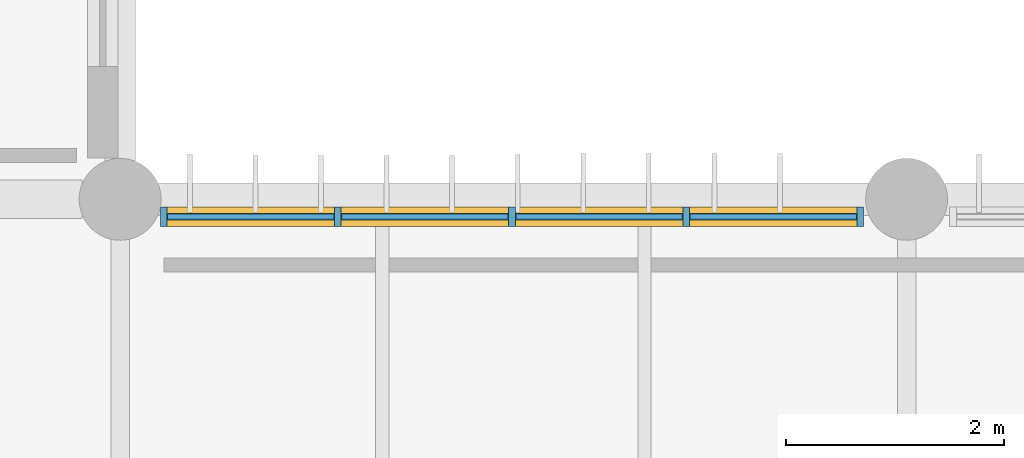
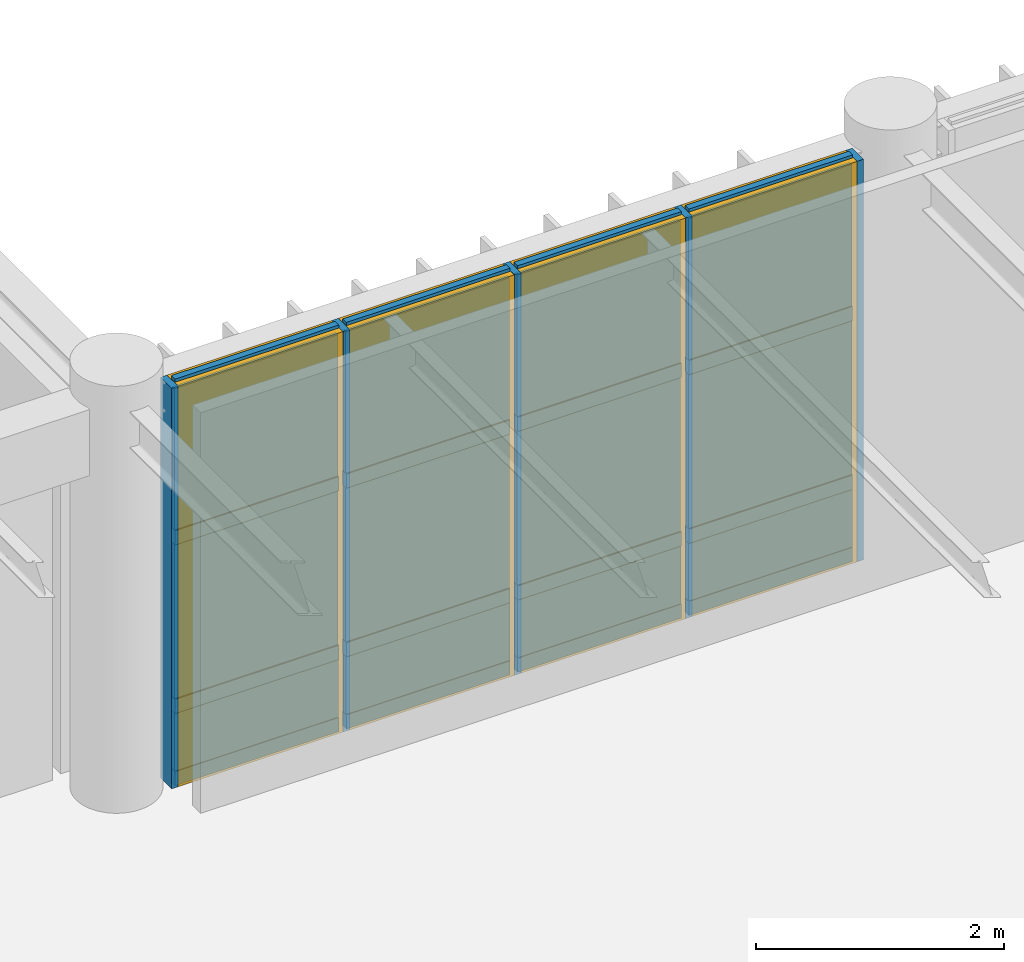
# One storey, part 83 of 122: 21 members, 12 plates, 1 curtain wall.
"""IFC4 building model written with IfcOpenShell, lengths in metres."""

import ifcopenshell
import ifcopenshell.guid

model = None  # the IFC model being written
_history = None  # IfcOwnerHistory: only IFC2X3 demands one
_inside = {}  # id of a spatial element -> (the spatial element, [elements in it])
_under = {}  # id of a project, library or spatial element -> (it, [spatial elements below it])
_declared = {}  # id of a project -> (the project, [libraries it declares])
_typed = {}  # id of a type object -> (the type object, [elements of that type])
_made_of = {}  # id of a material, layer set ... -> (it, [elements and type objects made of it])


def new_model(schema):
    """Start an empty IFC model of exactly this schema.

    Asked for "IFC4X3", IfcOpenShell would pick the latest addendum, in which some entities
    have other attributes; the version numbers below select the first issue.
    IFC2X3 requires an IfcOwnerHistory on every rooted entity: one is made here for all.
    """
    global model, _history
    if schema == "IFC4X3":
        model = ifcopenshell.file(schema_version=(4, 3, 0, 0))
    else:
        model = ifcopenshell.file(schema=schema)
    _inside.clear()
    _under.clear()
    _declared.clear()
    _typed.clear()
    _made_of.clear()
    _history = None
    if model.schema == "IFC2X3":
        org = make("IfcOrganization", Name="unknown")
        user = make(
            "IfcPersonAndOrganization",
            ThePerson=make("IfcPerson", FamilyName="unknown"),
            TheOrganization=org,
        )
        app = make(
            "IfcApplication",
            ApplicationDeveloper=org,
            Version="unknown",
            ApplicationFullName="unknown",
            ApplicationIdentifier="unknown",
        )
        _history = make(
            "IfcOwnerHistory",
            OwningUser=user,
            OwningApplication=app,
            ChangeAction="ADDED",
            CreationDate=0,
        )
    return model


def make(cls, **values):
    """One entity of the class cls with the attributes given. An attribute that is None is left unset."""
    return model.create_entity(
        cls, **{name: value for name, value in values.items() if value is not None}
    )


def rooted(cls, **values):
    """An entity with a GlobalId (a new one), such as an element, a storey or a relation."""
    return make(cls, GlobalId=ifcopenshell.guid.new(), OwnerHistory=_history, **values)


def si_unit(unit_type, name, prefix=None):
    """IfcSIUnit, for example si_unit("LENGTHUNIT", "METRE", prefix="MILLI")."""
    return make("IfcSIUnit", UnitType=unit_type, Prefix=prefix, Name=name)


def assignment(units):
    """IfcUnitAssignment: the units of a project."""
    return None if units is None else make("IfcUnitAssignment", Units=units)


def point(xyz):
    """IfcCartesianPoint."""
    return None if xyz is None else make("IfcCartesianPoint", Coordinates=xyz)


def direction(xyz):
    """IfcDirection."""
    return None if xyz is None else make("IfcDirection", DirectionRatios=xyz)


def frame(location, z_axis=None, x_axis=None):
    """IfcAxis2Placement3D, a coordinate frame: its origin and axes. An axis left out is left unset."""
    return make(
        "IfcAxis2Placement3D",
        Location=point(location),
        Axis=direction(z_axis),
        RefDirection=direction(x_axis),
    )


def frame_2d(location, x_axis=None):
    """IfcAxis2Placement2D, a coordinate frame in the plane: its origin and x axis."""
    return make(
        "IfcAxis2Placement2D", Location=point(location), RefDirection=direction(x_axis)
    )


def origin():
    """The frame at (0, 0, 0) with its axes left unset."""
    return frame((0.0, 0.0, 0.0))


def origin_2d():
    """The frame at (0, 0) in the plane with its x axis left unset."""
    return frame_2d((0.0, 0.0))


def place(relative_to, where):
    """IfcLocalPlacement: puts the frame where relative to a parent placement (None: the world)."""
    return make(
        "IfcLocalPlacement", PlacementRelTo=relative_to, RelativePlacement=where
    )


def context(
    kind, dimensions, precision=None, world=None, true_north=None, identifier=None
):
    """IfcGeometricRepresentationContext, for example the 3D "Model" context."""
    return make(
        "IfcGeometricRepresentationContext",
        ContextIdentifier=identifier,
        ContextType=kind,
        CoordinateSpaceDimension=dimensions,
        Precision=precision,
        WorldCoordinateSystem=world,
        TrueNorth=true_north,
    )


def subcontext(parent, identifier, kind, view, scale=None):
    """IfcGeometricRepresentationSubContext, for example "Body" below "Model"."""
    return make(
        "IfcGeometricRepresentationSubContext",
        ContextIdentifier=identifier,
        ContextType=kind,
        ParentContext=parent,
        TargetScale=scale,
        TargetView=view,
    )


def project(units=None, contexts=None):
    """IfcProject with its units and contexts."""
    return rooted(
        "IfcProject",
        Name="project",
        RepresentationContexts=contexts,
        UnitsInContext=assignment(units),
    )


def spatial(cls, under=None, at=None, **own):
    """A site, building, storey or space (cls), placed at a placement, below another one or the project."""
    s = rooted(cls, ObjectPlacement=at, **own)
    if under is not None:
        _under.setdefault(under.id(), (under, []))[1].append(s)
    return s


def profile(cls, at=None, kind="AREA", **sizes):
    """A parametric profile (cls). Its sizes go by their IFC names, for example OverallWidth=200.0."""
    return make(cls, ProfileType=kind, Position=at, **sizes)


def rectangle(**sizes):
    """IfcRectangleProfileDef."""
    return profile("IfcRectangleProfileDef", **sizes)


def extrude(swept, where, along, depth):
    """IfcExtrudedAreaSolid: the profile swept, set in the frame where, extruded along a direction by depth."""
    return make(
        "IfcExtrudedAreaSolid",
        SweptArea=swept,
        Position=where,
        ExtrudedDirection=direction(along),
        Depth=depth,
    )


def shape(context_of_items, identifier, shape_type, items):
    """IfcShapeRepresentation: the items that make up one representation, for example the "Body"."""
    return make(
        "IfcShapeRepresentation",
        ContextOfItems=context_of_items,
        RepresentationIdentifier=identifier,
        RepresentationType=shape_type,
        Items=items,
    )


def material(Name=None, Category=None):
    """IfcMaterial."""
    return make("IfcMaterial", Name=Name, Category=Category)


def layer(
    of_material, thickness, ventilated=None, Name=None, Category=None, Priority=None
):
    """IfcMaterialLayer: one layer of a wall or slab, of a material (None: an air gap)."""
    return make(
        "IfcMaterialLayer",
        Material=of_material,
        LayerThickness=thickness,
        IsVentilated=ventilated,
        Name=Name,
        Category=Category,
        Priority=Priority,
    )


def layer_set(layers, Name=None):
    """IfcMaterialLayerSet."""
    return make("IfcMaterialLayerSet", MaterialLayers=layers, LayerSetName=Name)


def material_profile(
    of_material, cross_section, Name=None, Category=None, Priority=None
):
    """IfcMaterialProfile: a cross section and its material."""
    return make(
        "IfcMaterialProfile",
        Name=Name,
        Material=of_material,
        Profile=cross_section,
        Priority=Priority,
        Category=Category,
    )


def profile_set(profiles, Name=None, composite=None):
    """IfcMaterialProfileSet."""
    return make(
        "IfcMaterialProfileSet",
        Name=Name,
        MaterialProfiles=profiles,
        CompositeProfile=composite,
    )


def made_of(thing, what):
    """Note that an element or type object is made of a material, layer set ...; save() writes the relation."""
    if what is not None:
        _made_of.setdefault(what.id(), (what, []))[1].append(thing)
    return thing


def type_object(cls, material=None, **own):
    """A type object (cls), such as IfcWallType, which elements share."""
    return made_of(rooted(cls, **own), material)


def element(
    cls,
    number,
    at=None,
    inside=None,
    cuts=None,
    type_object=None,
    material=None,
    context=None,
    identifier="Body",
    shape_type=None,
    held_by="IfcProductDefinitionShape",
    body=None,
    shapes=None,
    **own,
):
    """One element of the class cls, such as IfcWall. Its Tag is "e" and its number.

    at: its placement. inside: the storey or other place that contains it. cuts: it is an
    opening in that element (IfcRelVoidsElement). A single representation is given by context,
    identifier, shape_type and body (its items); several are given by shapes. held_by: the class
    of the entity that holds the representations. save() writes the other relations.
    """
    e = rooted(cls, Tag="e%d" % number, ObjectPlacement=at, **own)
    if body is not None:
        shapes = [shape(context, identifier, shape_type, body)]
    if shapes is not None:
        e.Representation = make(held_by, Representations=shapes)
    if inside is not None:
        _inside.setdefault(inside.id(), (inside, []))[1].append(e)
    if cuts is not None:
        rooted(
            "IfcRelVoidsElement", RelatingBuildingElement=cuts, RelatedOpeningElement=e
        )
    if type_object is not None:
        _typed.setdefault(type_object.id(), (type_object, []))[1].append(e)
    return made_of(e, material)


def aggregate(whole, parts):
    """IfcRelAggregates: a whole, such as a stair, and the parts it consists of."""
    return rooted("IfcRelAggregates", RelatingObject=whole, RelatedObjects=parts)


def save(model, path):
    """Write the relations noted so far, then the file.

    IfcRelAggregates (storeys below a building ...), IfcRelContainedInSpatialStructure (elements
    in a storey), IfcRelDefinesByType, IfcRelAssociatesMaterial and IfcRelDeclares: one each for
    every whole, place, type object, material and project.
    """
    for whole, parts in _under.values():
        aggregate(whole, parts)
    for where, things in _inside.values():
        rooted(
            "IfcRelContainedInSpatialStructure",
            RelatedElements=things,
            RelatingStructure=where,
        )
    for kind, things in _typed.values():
        rooted("IfcRelDefinesByType", RelatedObjects=things, RelatingType=kind)
    for what, things in _made_of.values():
        rooted("IfcRelAssociatesMaterial", RelatedObjects=things, RelatingMaterial=what)
    for by, libraries in _declared.values():
        rooted("IfcRelDeclares", RelatingContext=by, RelatedDefinitions=libraries)
    model.write(path)


model = new_model("IFC4")

# Units and contexts
model_context = context("Model", 3, precision=1e-05, world=origin(), true_north=direction((0.0, 1.0)))
body_context = subcontext(model_context, "Body", "Model", "MODEL_VIEW")
ifc_project = project(units=[si_unit("LENGTHUNIT", "METRE"), si_unit("AREAUNIT", "SQUARE_METRE"), si_unit("VOLUMEUNIT", "CUBIC_METRE"), si_unit("PLANEANGLEUNIT", "RADIAN"), si_unit("MASSUNIT", "GRAM", prefix="KILO")], contexts=[model_context])

# Member
ifc_material_1 = material(Name="Anodised Bronze Aluminium 6063-T6", Category="aluminium")
ifc_material_profile_1 = material_profile(ifc_material_1, rectangle(XDim=0.06005859375, YDim=0.179931640625, at=origin_2d()), Name="ALU MULLION 60x180")
ifc_profile_set_1 = profile_set([ifc_material_profile_1], Name="Anodised Bronze Aluminium 6063-T6")
member_type_1 = type_object("IfcMemberType", Name="Curtain-Wall Primary Mullion 60x180", PredefinedType="MULLION", material=ifc_profile_set_1)
site_placement = place(None, origin())
building_placement = place(site_placement, origin())
storey_placement = place(building_placement, frame((0.0, 0.0, 4.800048828125)))
member_1_placement = place(storey_placement, frame((95.800048828125, 30.0400390625, 0.0), z_axis=(0.0, 0.0, 1.0), x_axis=(1.0, 0.0, 0.0)))
member_1 = element("IfcMember", 1, at=member_1_placement, type_object=member_type_1, Name="Mullion CWM-01 CW-V5-NRET-E-L01-B1-M01", PredefinedType="MULLION", context=body_context, shape_type="SweptSolid", body=[
    extrude(rectangle(XDim=0.06005859375, YDim=0.179931640625, at=origin_2d()), origin(), (0.0, 0.0, 1.0), 3.93994140625),
])

member_2_placement = place(storey_placement, frame((97.393798828125, 30.0400390625, 0.0), z_axis=(0.0, 0.0, 1.0), x_axis=(1.0, 0.0, 0.0)))
member_2 = element("IfcMember", 2, at=member_2_placement, type_object=member_type_1, Name="Mullion CWM-01 CW-V5-NRET-E-L01-B1-M02", PredefinedType="MULLION", context=body_context, shape_type="SweptSolid", body=[
    extrude(rectangle(XDim=0.06005859375, YDim=0.179931640625, at=origin_2d()), origin(), (0.0, 0.0, 1.0), 3.93994140625),
])

member_3_placement = place(storey_placement, frame((98.987548828125, 30.0400390625, 0.0), z_axis=(0.0, 0.0, 1.0), x_axis=(1.0, 0.0, 0.0)))
member_3 = element("IfcMember", 3, at=member_3_placement, type_object=member_type_1, Name="Mullion CWM-01 CW-V5-NRET-E-L01-B1-M03", PredefinedType="MULLION", context=body_context, shape_type="SweptSolid", body=[
    extrude(rectangle(XDim=0.06005859375, YDim=0.179931640625, at=origin_2d()), origin(), (0.0, 0.0, 1.0), 3.93994140625),
])

member_4_placement = place(storey_placement, frame((100.581298828125, 30.0400390625, 0.0), z_axis=(0.0, 0.0, 1.0), x_axis=(1.0, 0.0, 0.0)))
member_4 = element("IfcMember", 4, at=member_4_placement, type_object=member_type_1, Name="Mullion CWM-01 CW-V5-NRET-E-L01-B1-M04", PredefinedType="MULLION", context=body_context, shape_type="SweptSolid", body=[
    extrude(rectangle(XDim=0.06005859375, YDim=0.179931640625, at=origin_2d()), origin(), (0.0, 0.0, 1.0), 3.93994140625),
])

member_5_placement = place(storey_placement, frame((102.175048828125, 30.0400390625, 0.0), z_axis=(0.0, 0.0, 1.0), x_axis=(1.0, 0.0, 0.0)))
member_5 = element("IfcMember", 5, at=member_5_placement, type_object=member_type_1, Name="Mullion CWM-01 CW-V5-NRET-E-L01-B1-M05", PredefinedType="MULLION", context=body_context, shape_type="SweptSolid", body=[
    extrude(rectangle(XDim=0.06005859375, YDim=0.179931640625, at=origin_2d()), origin(), (0.0, 0.0, 1.0), 3.93994140625),
])

ifc_material_profile_2 = material_profile(ifc_material_1, rectangle(XDim=0.06005859375, YDim=0.139892578125, at=origin_2d()), Name="ALU TRANSOM 60x140")
ifc_profile_set_2 = profile_set([ifc_material_profile_2], Name="Anodised Bronze Aluminium 6063-T6")
member_type_2 = type_object("IfcMemberType", Name="Curtain-Wall Transom 60x140", PredefinedType="USERDEFINED", material=ifc_profile_set_2)
member_6_placement = place(storey_placement, frame((95.8349609375, 30.0400390625, 0.0400390625), z_axis=(1.0, 0.0, 0.0), x_axis=(0.0, 1.0, 0.0)))
member_6 = element("IfcMember", 6, at=member_6_placement, type_object=member_type_2, Name="Transom CWT-01 CW-V5-NRET-E-L01-B1-T01.1", ObjectType="TRANSOM", PredefinedType="USERDEFINED", context=body_context, shape_type="SweptSolid", body=[
    extrude(rectangle(XDim=0.06005859375, YDim=0.139892578125, at=origin_2d()), origin(), (0.0, 0.0, 1.0), 1.52392578125),
])

member_7_placement = place(storey_placement, frame((95.8349609375, 30.0400390625, 0.75), z_axis=(1.0, 0.0, 0.0), x_axis=(0.0, 1.0, 0.0)))
member_7 = element("IfcMember", 7, at=member_7_placement, type_object=member_type_2, Name="Transom CWT-01 CW-V5-NRET-E-L01-B1-T01.2", ObjectType="TRANSOM", PredefinedType="USERDEFINED", context=body_context, shape_type="SweptSolid", body=[
    extrude(rectangle(XDim=0.06005859375, YDim=0.139892578125, at=origin_2d()), origin(), (0.0, 0.0, 1.0), 1.52392578125),
])

member_8_placement = place(storey_placement, frame((95.8349609375, 30.0400390625, 2.40869140625), z_axis=(1.0, 0.0, 0.0), x_axis=(0.0, 1.0, 0.0)))
member_8 = element("IfcMember", 8, at=member_8_placement, type_object=member_type_2, Name="Transom CWT-01 CW-V5-NRET-E-L01-B1-T01.3", ObjectType="TRANSOM", PredefinedType="USERDEFINED", context=body_context, shape_type="SweptSolid", body=[
    extrude(rectangle(XDim=0.06005859375, YDim=0.139892578125, at=origin_2d()), origin(), (0.0, 0.0, 1.0), 1.52392578125),
])

member_9_placement = place(storey_placement, frame((95.8349609375, 30.0400390625, 3.89990234375), z_axis=(1.0, 0.0, 0.0), x_axis=(0.0, 1.0, 0.0)))
member_9 = element("IfcMember", 9, at=member_9_placement, type_object=member_type_2, Name="Transom CWT-01 CW-V5-NRET-E-L01-B1-T01.4", ObjectType="TRANSOM", PredefinedType="USERDEFINED", context=body_context, shape_type="SweptSolid", body=[
    extrude(rectangle(XDim=0.06005859375, YDim=0.139892578125, at=origin_2d()), origin(), (0.0, 0.0, 1.0), 1.52392578125),
])

member_10_placement = place(storey_placement, frame((97.4287109375, 30.0400390625, 0.0400390625), z_axis=(1.0, 0.0, 0.0), x_axis=(0.0, 1.0, 0.0)))
member_10 = element("IfcMember", 10, at=member_10_placement, type_object=member_type_2, Name="Transom CWT-01 CW-V5-NRET-E-L01-B1-T02.1", ObjectType="TRANSOM", PredefinedType="USERDEFINED", context=body_context, shape_type="SweptSolid", body=[
    extrude(rectangle(XDim=0.06005859375, YDim=0.139892578125, at=origin_2d()), origin(), (0.0, 0.0, 1.0), 1.523681640625),
])

member_11_placement = place(storey_placement, frame((97.4287109375, 30.0400390625, 0.75), z_axis=(1.0, 0.0, 0.0), x_axis=(0.0, 1.0, 0.0)))
member_11 = element("IfcMember", 11, at=member_11_placement, type_object=member_type_2, Name="Transom CWT-01 CW-V5-NRET-E-L01-B1-T02.2", ObjectType="TRANSOM", PredefinedType="USERDEFINED", context=body_context, shape_type="SweptSolid", body=[
    extrude(rectangle(XDim=0.06005859375, YDim=0.139892578125, at=origin_2d()), origin(), (0.0, 0.0, 1.0), 1.523681640625),
])

member_12_placement = place(storey_placement, frame((97.4287109375, 30.0400390625, 2.40869140625), z_axis=(1.0, 0.0, 0.0), x_axis=(0.0, 1.0, 0.0)))
member_12 = element("IfcMember", 12, at=member_12_placement, type_object=member_type_2, Name="Transom CWT-01 CW-V5-NRET-E-L01-B1-T02.3", ObjectType="TRANSOM", PredefinedType="USERDEFINED", context=body_context, shape_type="SweptSolid", body=[
    extrude(rectangle(XDim=0.06005859375, YDim=0.139892578125, at=origin_2d()), origin(), (0.0, 0.0, 1.0), 1.523681640625),
])

member_13_placement = place(storey_placement, frame((97.4287109375, 30.0400390625, 3.89990234375), z_axis=(1.0, 0.0, 0.0), x_axis=(0.0, 1.0, 0.0)))
member_13 = element("IfcMember", 13, at=member_13_placement, type_object=member_type_2, Name="Transom CWT-01 CW-V5-NRET-E-L01-B1-T02.4", ObjectType="TRANSOM", PredefinedType="USERDEFINED", context=body_context, shape_type="SweptSolid", body=[
    extrude(rectangle(XDim=0.06005859375, YDim=0.139892578125, at=origin_2d()), origin(), (0.0, 0.0, 1.0), 1.523681640625),
])

member_14_placement = place(storey_placement, frame((99.0224609375, 30.0400390625, 0.0400390625), z_axis=(1.0, 0.0, 0.0), x_axis=(0.0, 1.0, 0.0)))
member_14 = element("IfcMember", 14, at=member_14_placement, type_object=member_type_2, Name="Transom CWT-01 CW-V5-NRET-E-L01-B1-T03.1", ObjectType="TRANSOM", PredefinedType="USERDEFINED", context=body_context, shape_type="SweptSolid", body=[
    extrude(rectangle(XDim=0.06005859375, YDim=0.139892578125, at=origin_2d()), origin(), (0.0, 0.0, 1.0), 1.52392578125),
])

member_15_placement = place(storey_placement, frame((99.0224609375, 30.0400390625, 0.75), z_axis=(1.0, 0.0, 0.0), x_axis=(0.0, 1.0, 0.0)))
member_15 = element("IfcMember", 15, at=member_15_placement, type_object=member_type_2, Name="Transom CWT-01 CW-V5-NRET-E-L01-B1-T03.2", ObjectType="TRANSOM", PredefinedType="USERDEFINED", context=body_context, shape_type="SweptSolid", body=[
    extrude(rectangle(XDim=0.06005859375, YDim=0.139892578125, at=origin_2d()), origin(), (0.0, 0.0, 1.0), 1.52392578125),
])

member_16_placement = place(storey_placement, frame((99.0224609375, 30.0400390625, 2.40869140625), z_axis=(1.0, 0.0, 0.0), x_axis=(0.0, 1.0, 0.0)))
member_16 = element("IfcMember", 16, at=member_16_placement, type_object=member_type_2, Name="Transom CWT-01 CW-V5-NRET-E-L01-B1-T03.3", ObjectType="TRANSOM", PredefinedType="USERDEFINED", context=body_context, shape_type="SweptSolid", body=[
    extrude(rectangle(XDim=0.06005859375, YDim=0.139892578125, at=origin_2d()), origin(), (0.0, 0.0, 1.0), 1.52392578125),
])

member_17_placement = place(storey_placement, frame((99.0224609375, 30.0400390625, 3.89990234375), z_axis=(1.0, 0.0, 0.0), x_axis=(0.0, 1.0, 0.0)))
member_17 = element("IfcMember", 17, at=member_17_placement, type_object=member_type_2, Name="Transom CWT-01 CW-V5-NRET-E-L01-B1-T03.4", ObjectType="TRANSOM", PredefinedType="USERDEFINED", context=body_context, shape_type="SweptSolid", body=[
    extrude(rectangle(XDim=0.06005859375, YDim=0.139892578125, at=origin_2d()), origin(), (0.0, 0.0, 1.0), 1.52392578125),
])

member_18_placement = place(storey_placement, frame((100.6162109375, 30.0400390625, 0.0400390625), z_axis=(1.0, 0.0, 0.0), x_axis=(0.0, 1.0, 0.0)))
member_18 = element("IfcMember", 18, at=member_18_placement, type_object=member_type_2, Name="Transom CWT-01 CW-V5-NRET-E-L01-B1-T04.1", ObjectType="TRANSOM", PredefinedType="USERDEFINED", context=body_context, shape_type="SweptSolid", body=[
    extrude(rectangle(XDim=0.06005859375, YDim=0.139892578125, at=origin_2d()), origin(), (0.0, 0.0, 1.0), 1.523681640625),
])

member_19_placement = place(storey_placement, frame((100.6162109375, 30.0400390625, 0.75), z_axis=(1.0, 0.0, 0.0), x_axis=(0.0, 1.0, 0.0)))
member_19 = element("IfcMember", 19, at=member_19_placement, type_object=member_type_2, Name="Transom CWT-01 CW-V5-NRET-E-L01-B1-T04.2", ObjectType="TRANSOM", PredefinedType="USERDEFINED", context=body_context, shape_type="SweptSolid", body=[
    extrude(rectangle(XDim=0.06005859375, YDim=0.139892578125, at=origin_2d()), origin(), (0.0, 0.0, 1.0), 1.523681640625),
])

member_20_placement = place(storey_placement, frame((100.6162109375, 30.0400390625, 2.40869140625), z_axis=(1.0, 0.0, 0.0), x_axis=(0.0, 1.0, 0.0)))
member_20 = element("IfcMember", 20, at=member_20_placement, type_object=member_type_2, Name="Transom CWT-01 CW-V5-NRET-E-L01-B1-T04.3", ObjectType="TRANSOM", PredefinedType="USERDEFINED", context=body_context, shape_type="SweptSolid", body=[
    extrude(rectangle(XDim=0.06005859375, YDim=0.139892578125, at=origin_2d()), origin(), (0.0, 0.0, 1.0), 1.523681640625),
])

member_21_placement = place(storey_placement, frame((100.6162109375, 30.0400390625, 3.89990234375), z_axis=(1.0, 0.0, 0.0), x_axis=(0.0, 1.0, 0.0)))
member_21 = element("IfcMember", 21, at=member_21_placement, type_object=member_type_2, Name="Transom CWT-01 CW-V5-NRET-E-L01-B1-T04.4", ObjectType="TRANSOM", PredefinedType="USERDEFINED", context=body_context, shape_type="SweptSolid", body=[
    extrude(rectangle(XDim=0.06005859375, YDim=0.139892578125, at=origin_2d()), origin(), (0.0, 0.0, 1.0), 1.523681640625),
])

# Plate
ifc_material_2 = material(Name="Insulated Bronze Aluminium Spandrel Panel", Category="aluminium")
ifc_layer_1 = layer(ifc_material_2, 0.050048828125, Name="Insulated Bronze Aluminium Spandrel Panel")
ifc_layer_set_1 = layer_set([ifc_layer_1], Name="Insulated Bronze Aluminium Spandrel Panel")
plate_type_1 = type_object("IfcPlateType", Name="Insulated Anodised Aluminium Spandrel Cassette 50", PredefinedType="CURTAIN_PANEL", material=ifc_layer_set_1)
plate_1_placement = place(storey_placement, frame((96.596923828125, 30.0400390625, 0.070068359375), z_axis=(0.0, 0.0, 1.0), x_axis=(1.0, 0.0, 0.0)))
plate_1 = element("IfcPlate", 22, at=plate_1_placement, type_object=plate_type_1, Name="Curtain Panel CWP-03 CW-V5-NRET-E-L01-B1-P01.1", PredefinedType="CURTAIN_PANEL", context=body_context, shape_type="SweptSolid", body=[
    extrude(rectangle(XDim=1.523681640625, YDim=0.050048828125, at=origin_2d()), origin(), (0.0, 0.0, 1.0), 0.64990234375),
])

plate_2_placement = place(storey_placement, frame((98.190673828125, 30.0400390625, 0.070068359375), z_axis=(0.0, 0.0, 1.0), x_axis=(1.0, 0.0, 0.0)))
plate_2 = element("IfcPlate", 23, at=plate_2_placement, type_object=plate_type_1, Name="Curtain Panel CWP-03 CW-V5-NRET-E-L01-B1-P02.1", PredefinedType="CURTAIN_PANEL", context=body_context, shape_type="SweptSolid", body=[
    extrude(rectangle(XDim=1.523681640625, YDim=0.050048828125, at=origin_2d()), origin(), (0.0, 0.0, 1.0), 0.64990234375),
])

plate_3_placement = place(storey_placement, frame((99.784423828125, 30.0400390625, 0.070068359375), z_axis=(0.0, 0.0, 1.0), x_axis=(1.0, 0.0, 0.0)))
plate_3 = element("IfcPlate", 24, at=plate_3_placement, type_object=plate_type_1, Name="Curtain Panel CWP-03 CW-V5-NRET-E-L01-B1-P03.1", PredefinedType="CURTAIN_PANEL", context=body_context, shape_type="SweptSolid", body=[
    extrude(rectangle(XDim=1.523681640625, YDim=0.050048828125, at=origin_2d()), origin(), (0.0, 0.0, 1.0), 0.64990234375),
])

plate_4_placement = place(storey_placement, frame((101.378173828125, 30.0400390625, 0.070068359375), z_axis=(0.0, 0.0, 1.0), x_axis=(1.0, 0.0, 0.0)))
plate_4 = element("IfcPlate", 25, at=plate_4_placement, type_object=plate_type_1, Name="Curtain Panel CWP-03 CW-V5-NRET-E-L01-B1-P04.1", PredefinedType="CURTAIN_PANEL", context=body_context, shape_type="SweptSolid", body=[
    extrude(rectangle(XDim=1.523681640625, YDim=0.050048828125, at=origin_2d()), origin(), (0.0, 0.0, 1.0), 0.64990234375),
])

ifc_material_3 = material(Name="Solar-Control Tempered Double Glazing", Category="glass")
ifc_layer_2 = layer(ifc_material_3, 0.0380859375, Name="Solar-Control Tempered Double Glazing")
ifc_layer_set_2 = layer_set([ifc_layer_2], Name="Solar-Control Tempered Double Glazing")
plate_type_2 = type_object("IfcPlateType", Name="Solar-Control Vision Glazing Unit 38", PredefinedType="CURTAIN_PANEL", material=ifc_layer_set_2)
plate_5_placement = place(storey_placement, frame((96.596923828125, 30.0400390625, 0.77978515625), z_axis=(0.0, 0.0, 1.0), x_axis=(1.0, 0.0, 0.0)))
plate_5 = element("IfcPlate", 26, at=plate_5_placement, type_object=plate_type_2, Name="Curtain Panel CWP-02 CW-V5-NRET-E-L01-B1-P01.2", PredefinedType="CURTAIN_PANEL", context=body_context, shape_type="SweptSolid", body=[
    extrude(rectangle(XDim=1.523681640625, YDim=0.0380859375, at=origin_2d()), origin(), (0.0, 0.0, 1.0), 1.598876953125),
])

plate_6_placement = place(storey_placement, frame((96.596923828125, 30.0400390625, 2.438720703125), z_axis=(0.0, 0.0, 1.0), x_axis=(1.0, 0.0, 0.0)))
plate_6 = element("IfcPlate", 27, at=plate_6_placement, type_object=plate_type_2, Name="Curtain Panel CWP-02 CW-V5-NRET-E-L01-B1-P01.3", PredefinedType="CURTAIN_PANEL", context=body_context, shape_type="SweptSolid", body=[
    extrude(rectangle(XDim=1.523681640625, YDim=0.0380859375, at=origin_2d()), origin(), (0.0, 0.0, 1.0), 1.43115234375),
])

plate_7_placement = place(storey_placement, frame((98.190673828125, 30.0400390625, 0.77978515625), z_axis=(0.0, 0.0, 1.0), x_axis=(1.0, 0.0, 0.0)))
plate_7 = element("IfcPlate", 28, at=plate_7_placement, type_object=plate_type_2, Name="Curtain Panel CWP-02 CW-V5-NRET-E-L01-B1-P02.2", PredefinedType="CURTAIN_PANEL", context=body_context, shape_type="SweptSolid", body=[
    extrude(rectangle(XDim=1.523681640625, YDim=0.0380859375, at=origin_2d()), origin(), (0.0, 0.0, 1.0), 1.598876953125),
])

plate_8_placement = place(storey_placement, frame((98.190673828125, 30.0400390625, 2.438720703125), z_axis=(0.0, 0.0, 1.0), x_axis=(1.0, 0.0, 0.0)))
plate_8 = element("IfcPlate", 29, at=plate_8_placement, type_object=plate_type_2, Name="Curtain Panel CWP-02 CW-V5-NRET-E-L01-B1-P02.3", PredefinedType="CURTAIN_PANEL", context=body_context, shape_type="SweptSolid", body=[
    extrude(rectangle(XDim=1.523681640625, YDim=0.0380859375, at=origin_2d()), origin(), (0.0, 0.0, 1.0), 1.43115234375),
])

plate_9_placement = place(storey_placement, frame((99.784423828125, 30.0400390625, 0.77978515625), z_axis=(0.0, 0.0, 1.0), x_axis=(1.0, 0.0, 0.0)))
plate_9 = element("IfcPlate", 30, at=plate_9_placement, type_object=plate_type_2, Name="Curtain Panel CWP-02 CW-V5-NRET-E-L01-B1-P03.2", PredefinedType="CURTAIN_PANEL", context=body_context, shape_type="SweptSolid", body=[
    extrude(rectangle(XDim=1.523681640625, YDim=0.0380859375, at=origin_2d()), origin(), (0.0, 0.0, 1.0), 1.598876953125),
])

plate_10_placement = place(storey_placement, frame((99.784423828125, 30.0400390625, 2.438720703125), z_axis=(0.0, 0.0, 1.0), x_axis=(1.0, 0.0, 0.0)))
plate_10 = element("IfcPlate", 31, at=plate_10_placement, type_object=plate_type_2, Name="Curtain Panel CWP-02 CW-V5-NRET-E-L01-B1-P03.3", PredefinedType="CURTAIN_PANEL", context=body_context, shape_type="SweptSolid", body=[
    extrude(rectangle(XDim=1.523681640625, YDim=0.0380859375, at=origin_2d()), origin(), (0.0, 0.0, 1.0), 1.43115234375),
])

plate_11_placement = place(storey_placement, frame((101.378173828125, 30.0400390625, 0.77978515625), z_axis=(0.0, 0.0, 1.0), x_axis=(1.0, 0.0, 0.0)))
plate_11 = element("IfcPlate", 32, at=plate_11_placement, type_object=plate_type_2, Name="Curtain Panel CWP-02 CW-V5-NRET-E-L01-B1-P04.2", PredefinedType="CURTAIN_PANEL", context=body_context, shape_type="SweptSolid", body=[
    extrude(rectangle(XDim=1.523681640625, YDim=0.0380859375, at=origin_2d()), origin(), (0.0, 0.0, 1.0), 1.598876953125),
])

plate_12_placement = place(storey_placement, frame((101.378173828125, 30.0400390625, 2.438720703125), z_axis=(0.0, 0.0, 1.0), x_axis=(1.0, 0.0, 0.0)))
plate_12 = element("IfcPlate", 33, at=plate_12_placement, type_object=plate_type_2, Name="Curtain Panel CWP-02 CW-V5-NRET-E-L01-B1-P04.3", PredefinedType="CURTAIN_PANEL", context=body_context, shape_type="SweptSolid", body=[
    extrude(rectangle(XDim=1.523681640625, YDim=0.0380859375, at=origin_2d()), origin(), (0.0, 0.0, 1.0), 1.43115234375),
])

# Site, building, storey
site = spatial("IfcSite", under=ifc_project, at=site_placement, CompositionType="ELEMENT")
building = spatial("IfcBuilding", under=site, at=building_placement, Name="Tazoul Stagehouse", CompositionType="ELEMENT")
storey = spatial("IfcBuildingStorey", under=building, at=storey_placement, Name="L01", CompositionType="ELEMENT", Elevation=4.800048828125)

# Curtain wall
curtain_wall_type = type_object("IfcCurtainWallType", Name="Foyer Clear Solar-Control Curtain Wall", PredefinedType="NOTDEFINED", material=ifc_material_1)
curtain_wall_placement = place(storey_placement, frame((95.800048828125, 30.0400390625, 0.0), z_axis=(0.0, 0.0, 1.0), x_axis=(1.0, 0.0, 0.0)))
curtain_wall = element("IfcCurtainWall", 34, at=curtain_wall_placement, inside=storey, type_object=curtain_wall_type, Name="L01 Curtain Wall CW-02 (CW-V5-NRET-E-L01-B1)", PredefinedType="NOTDEFINED", context=body_context, shape_type="SweptSolid", body=[
    extrude(rectangle(XDim=6.375, YDim=0.179931640625, at=frame_2d((3.1875, 0.0))), origin(), (0.0, 0.0, 1.0), 3.93994140625),
])

aggregate(curtain_wall, [member_1, member_2, member_3, member_4, member_5, member_6, member_7, member_8, member_9, plate_1, plate_5, plate_6, member_10, member_11, member_12, member_13, plate_2, plate_7, plate_8, member_14, member_15, member_16, member_17, plate_3, plate_9, plate_10, member_18, member_19, member_20, member_21, plate_4, plate_11, plate_12])

save(model, "model.ifc")
